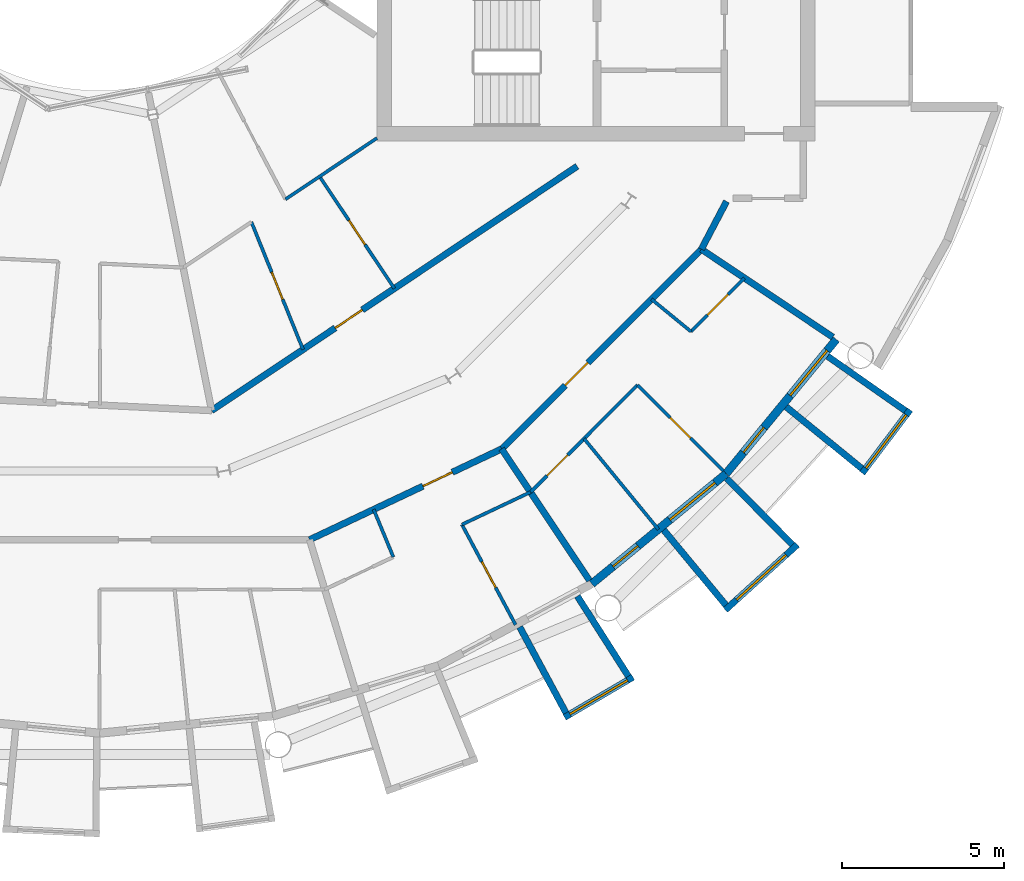
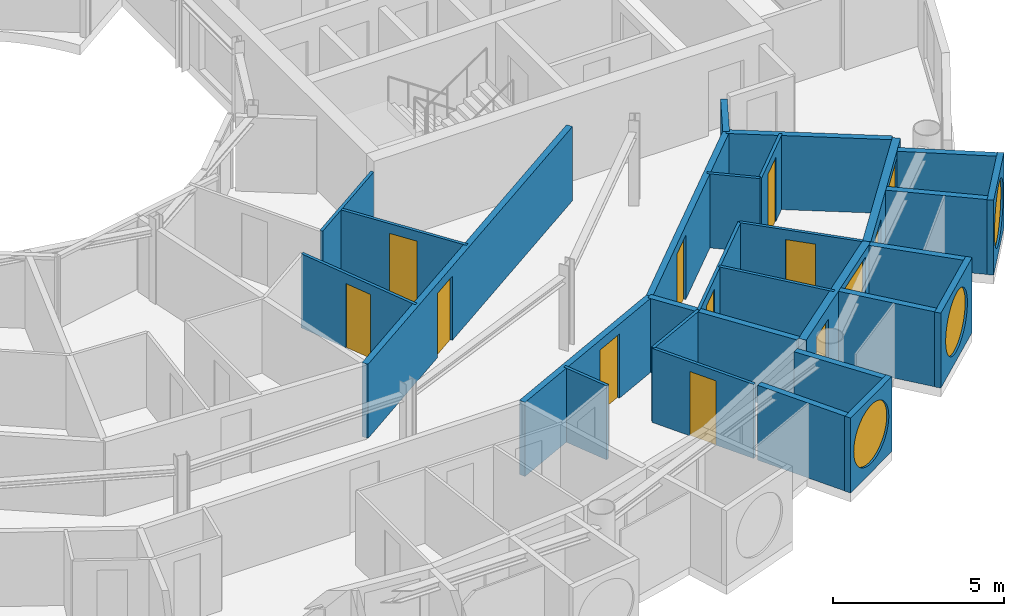
# One storey, part 18 of 28: 28 walls, 11 doors, 5 windows, 16 openings.
"""IFC4 building model written with IfcOpenShell, lengths in metres."""

from ifc_helpers import new_model, si_unit, direction, frame, frame_2d, origin, place, context, subcontext, project, spatial, rectangle, circle, extrude, material, layer, layer_set, type_object, element, fill, save


model = new_model("IFC4")

# Units and contexts
model_context = context("Model", 3, precision=1e-05, world=origin(), true_north=direction((0.0, 1.0)))
body_context = subcontext(model_context, "Body", "Model", "MODEL_VIEW")
ifc_project = project(units=[si_unit("LENGTHUNIT", "METRE"), si_unit("AREAUNIT", "SQUARE_METRE"), si_unit("VOLUMEUNIT", "CUBIC_METRE"), si_unit("PLANEANGLEUNIT", "RADIAN"), si_unit("MASSUNIT", "GRAM", prefix="KILO")], contexts=[model_context])

# Site, building, storey
site_placement = place(None, origin())
site = spatial("IfcSite", under=ifc_project, at=site_placement, CompositionType="ELEMENT")
building_placement = place(site_placement, origin())
building = spatial("IfcBuilding", under=site, at=building_placement, Name="Maasbend Ring Residences", CompositionType="ELEMENT")
storey_placement = place(building_placement, frame((0.0, 0.0, 218.800048828125)))
storey = spatial("IfcBuildingStorey", under=building, at=storey_placement, Name="L63", CompositionType="ELEMENT", Elevation=218.800048828125)

# Wall
ifc_material_1 = material(Name="Concrete C30/37", Category="concrete")
ifc_layer_1 = layer(ifc_material_1, 0.199951171875)
ifc_layer_set_1 = layer_set([ifc_layer_1], Name="Concrete C30/37")
wall_type_1 = type_object("IfcWallType", Name="CORRIDOR WALL 200 CONCRETE", PredefinedType="PARTITIONING", material=ifc_layer_set_1)
wall_1_placement = place(storey_placement, frame((18.5419921875, -12.388916015625, 0.0), z_axis=(0.0, 0.0, 1.0), x_axis=(0.465359652486, 0.885121683068, 0.0)))
element("IfcWall", 1, at=wall_1_placement, inside=storey, type_object=wall_type_1, Name="U-L63-w012", PredefinedType="PARTITIONING", context=body_context, shape_type="SweptSolid", body=[
    extrude(rectangle(XDim=1.665283203125, YDim=0.199951171875, at=frame_2d((0.83251953125, 0.0))), origin(), (0.0, 0.0, 1.0), 2.64990234375),
])

# Wall, opening, door
wall_2_placement = place(storey_placement, frame((6.468994140625, -21.342041015625, 0.0), z_axis=(0.0, 0.0, 1.0), x_axis=(0.90398136628, 0.427571852931, 0.0)))
wall_2 = element("IfcWall", 2, at=wall_2_placement, inside=storey, type_object=wall_type_1, Name="U-L63-w014", PredefinedType="PARTITIONING", context=body_context, shape_type="SweptSolid", body=[
    extrude(rectangle(XDim=6.548828125, YDim=0.199951171875, at=frame_2d((3.2744140625, 0.0))), origin(), (0.0, 0.0, 1.0), 2.64990234375),
])
opening_1_placement = place(wall_2_placement, frame((3.866943359375, 0.0, 0.0)))
opening_1 = element("IfcOpeningElement", 3, at=opening_1_placement, cuts=wall_2, Name="Opening D-6340", PredefinedType="OPENING", context=body_context, shape_type="SweptSolid", body=[
    extrude(rectangle(XDim=1.0, YDim=2.300048828125, at=frame_2d((0.5, 1.14990234375))), frame((0.0, 0.10986328125, 0.0), z_axis=(0.0, -1.0, 0.0), x_axis=(1.0, 0.0, 0.0)), (0.0, 0.0, 1.0), 0.219970703125),
])
ifc_material_2 = material(Name="Timber, fire-rated, painted", Category="wood")
door_type_1 = type_object("IfcDoorType", Name="FLAT ENTRANCE DOOR 1000 X 2300 FIRE-RATED", OperationType="NOTDEFINED", PredefinedType="DOOR", material=ifc_material_2)
door_1_placement = place(opening_1_placement, origin())
door_1 = element("IfcDoor", 4, at=door_1_placement, inside=storey, type_object=door_type_1, Name="D-6340", OperationType="SINGLE_SWING_RIGHT", OverallHeight=2.300048828125, OverallWidth=1.0, PredefinedType="DOOR", context=body_context, shape_type="SweptSolid", body=[
    extrude(rectangle(XDim=1.0, YDim=2.300048828125, at=frame_2d((0.5, 1.14990234375))), frame((0.0, 0.02490234375, 0.0), z_axis=(0.0, -1.0, 0.0), x_axis=(1.0, 0.0, 0.0)), (0.0, 0.0, 1.0), 0.050048828125),
])
fill(opening_1, door_1)

wall_3_placement = place(storey_placement, frame((12.388916015625, -18.5419921875, 0.0), z_axis=(0.0, 0.0, 1.0), x_axis=(0.707106781187, 0.707106781187, 0.0)))
wall_3 = element("IfcWall", 5, at=wall_3_placement, inside=storey, type_object=wall_type_1, Name="U-L63-w016", PredefinedType="PARTITIONING", context=body_context, shape_type="SweptSolid", body=[
    extrude(rectangle(XDim=8.70166015625, YDim=0.199951171875, at=frame_2d((4.350830078125, 0.0))), origin(), (0.0, 0.0, 1.0), 2.64990234375),
])
opening_2_placement = place(wall_3_placement, frame((2.762939453125, 0.0, 0.0)))
opening_2 = element("IfcOpeningElement", 6, at=opening_2_placement, cuts=wall_3, Name="Opening D-6343", PredefinedType="OPENING", context=body_context, shape_type="SweptSolid", body=[
    extrude(rectangle(XDim=1.0, YDim=2.300048828125, at=frame_2d((0.5, 1.14990234375))), frame((0.0, 0.10986328125, 0.0), z_axis=(0.0, -1.0, 0.0), x_axis=(1.0, 0.0, 0.0)), (0.0, 0.0, 1.0), 0.219970703125),
])
door_2_placement = place(opening_2_placement, origin())
door_2 = element("IfcDoor", 7, at=door_2_placement, inside=storey, type_object=door_type_1, Name="D-6343", OperationType="SINGLE_SWING_LEFT", OverallHeight=2.300048828125, OverallWidth=1.0, PredefinedType="DOOR", context=body_context, shape_type="SweptSolid", body=[
    extrude(rectangle(XDim=1.0, YDim=2.300048828125, at=frame_2d((0.5, 1.14990234375))), frame((0.0, 0.02490234375, 0.0), z_axis=(0.0, -1.0, 0.0), x_axis=(1.0, 0.0, 0.0)), (0.0, 0.0, 1.0), 0.050048828125),
])
fill(opening_2, door_2)

wall_4_placement = place(storey_placement, frame((3.450927734375, -17.361083984375, 0.0), z_axis=(0.0, 0.0, 1.0), x_axis=(0.831492679744, 0.555535708603, 0.0)))
wall_4 = element("IfcWall", 8, at=wall_4_placement, inside=storey, type_object=wall_type_1, Name="U-L63-w022", PredefinedType="PARTITIONING", context=body_context, shape_type="SweptSolid", body=[
    extrude(rectangle(XDim=13.54931640625, YDim=0.199951171875, at=frame_2d((6.774658203125, 0.0))), origin(), (0.0, 0.0, 1.0), 2.64990234375),
])
opening_3_placement = place(wall_4_placement, frame((4.5830078125, 0.0, 0.0)))
opening_3 = element("IfcOpeningElement", 9, at=opening_3_placement, cuts=wall_4, Name="Opening D-6354", PredefinedType="OPENING", context=body_context, shape_type="SweptSolid", body=[
    extrude(rectangle(XDim=1.0, YDim=2.300048828125, at=frame_2d((0.5, 1.14990234375))), frame((0.0, 0.10986328125, 0.0), z_axis=(0.0, -1.0, 0.0), x_axis=(1.0, 0.0, 0.0)), (0.0, 0.0, 1.0), 0.219970703125),
])
door_3_placement = place(opening_3_placement, origin())
door_3 = element("IfcDoor", 10, at=door_3_placement, inside=storey, type_object=door_type_1, Name="D-6354", OperationType="SINGLE_SWING_LEFT", OverallHeight=2.300048828125, OverallWidth=1.0, PredefinedType="DOOR", context=body_context, shape_type="SweptSolid", body=[
    extrude(rectangle(XDim=1.0, YDim=2.300048828125, at=frame_2d((0.5, 1.14990234375))), frame((0.0, 0.02490234375, 0.0), z_axis=(0.0, -1.0, 0.0), x_axis=(1.0, 0.0, 0.0)), (0.0, 0.0, 1.0), 0.050048828125),
])
fill(opening_3, door_3)

# Wall, opening, window
ifc_material_3 = material(Name="Pale anodised aluminium panel", Category="aluminium")
ifc_layer_2 = layer(ifc_material_3, 0.199951171875)
ifc_layer_set_2 = layer_set([ifc_layer_2], Name="EW-BOX")
wall_type_2 = type_object("IfcWallType", Name="EW-BOX", PredefinedType="SOLIDWALL", material=ifc_layer_set_2)
wall_5_placement = place(storey_placement, frame((14.326904296875, -26.81201171875, -0.030029296875), z_axis=(0.0, 0.0, 1.0), x_axis=(0.862403467503, 0.506221551535, 0.0)))
wall_5 = element("IfcWall", 11, at=wall_5_placement, inside=storey, type_object=wall_type_2, Name="Box front S16", PredefinedType="SOLIDWALL", context=body_context, shape_type="SweptSolid", body=[
    extrude(rectangle(XDim=2.445556640625, YDim=0.199951171875, at=frame_2d((1.22265625, 0.0))), origin(), (0.0, 0.0, 1.0), 2.679931640625),
])
opening_4_placement = place(wall_5_placement, frame((0.182861328125, 0.0, 0.330078125)))
opening_4 = element("IfcOpeningElement", 12, at=opening_4_placement, cuts=wall_5, Name="Opening W-RD", PredefinedType="OPENING", context=body_context, shape_type="SweptSolid", body=[
    extrude(circle(Radius=1.0400390625, at=frame_2d((1.0400390625, 1.0400390625))), frame((0.0, 0.10986328125, 0.0), z_axis=(0.0, -1.0, 0.0), x_axis=(1.0, 0.0, 0.0)), (0.0, 0.0, 1.0), 0.219970703125),
])
ifc_material_4 = material(Name="Aluminium and clear glass", Category="aluminium")
window_type_1 = type_object("IfcWindowType", Name="W-RD", PartitioningType="SINGLE_PANEL", PredefinedType="WINDOW", material=ifc_material_4)
window_1_placement = place(opening_4_placement, origin())
window_1 = element("IfcWindow", 13, at=window_1_placement, inside=storey, type_object=window_type_1, Name="Round window S16", OverallHeight=2.080078125, OverallWidth=2.080078125, PartitioningType="SINGLE_PANEL", PredefinedType="WINDOW", context=body_context, shape_type="SweptSolid", body=[
    extrude(circle(Radius=1.0400390625, at=frame_2d((1.0400390625, 1.0400390625))), frame((0.0, 0.030029296875, 0.0), z_axis=(0.0, -1.0, 0.0), x_axis=(1.0, 0.0, 0.0)), (0.0, 0.0, 1.0), 0.06005859375),
])
fill(opening_4, window_1)

# Walls
wall_6_placement = place(storey_placement, frame((12.945068359375, -24.029052734375, -0.030029296875), z_axis=(0.0, 0.0, 1.0), x_axis=(0.474424310775, -0.88029629861, 0.0)))
element("IfcWall", 14, at=wall_6_placement, inside=storey, type_object=wall_type_2, Name="Box side wall S16 left", PredefinedType="SOLIDWALL", context=body_context, shape_type="SweptSolid", body=[
    extrude(rectangle(XDim=3.005859375, YDim=0.199951171875, at=frame_2d((1.5029296875, 0.0))), origin(), (0.0, 0.0, 1.0), 2.679931640625),
])
wall_7_placement = place(storey_placement, frame((14.721923828125, -23.0791015625, -0.030029296875), z_axis=(0.0, 0.0, 1.0), x_axis=(0.537572179146, -0.843217737129, 0.0)))
element("IfcWall", 15, at=wall_7_placement, inside=storey, type_object=wall_type_2, Name="Box side wall S16 right", PredefinedType="SOLIDWALL", context=body_context, shape_type="SweptSolid", body=[
    extrude(rectangle(XDim=2.92431640625, YDim=0.199951171875, at=frame_2d((1.462158203125, 0.0))), origin(), (0.0, 0.0, 1.0), 2.679931640625),
])

# Wall, opening, window
wall_8_placement = place(storey_placement, frame((19.281982421875, -23.5029296875, -0.030029296875), z_axis=(0.0, 0.0, 1.0), x_axis=(0.740998365753, 0.671506829416, 0.0)))
wall_8 = element("IfcWall", 16, at=wall_8_placement, inside=storey, type_object=wall_type_2, Name="Box front S18", PredefinedType="SOLIDWALL", context=body_context, shape_type="SweptSolid", body=[
    extrude(rectangle(XDim=2.9931640625, YDim=0.199951171875, at=frame_2d((1.49658203125, 0.0))), origin(), (0.0, 0.0, 1.0), 2.679931640625),
])
opening_5_placement = place(wall_8_placement, frame((0.45654296875, 0.0, 0.330078125)))
opening_5 = element("IfcOpeningElement", 17, at=opening_5_placement, cuts=wall_8, Name="Opening W-RD", PredefinedType="OPENING", context=body_context, shape_type="SweptSolid", body=[
    extrude(circle(Radius=1.0400390625, at=frame_2d((1.0400390625, 1.0400390625))), frame((0.0, 0.10986328125, 0.0), z_axis=(0.0, -1.0, 0.0), x_axis=(1.0, 0.0, 0.0)), (0.0, 0.0, 1.0), 0.219970703125),
])
window_2_placement = place(opening_5_placement, origin())
window_2 = element("IfcWindow", 18, at=window_2_placement, inside=storey, type_object=window_type_1, Name="Round window S18", OverallHeight=2.080078125, OverallWidth=2.080078125, PartitioningType="SINGLE_PANEL", PredefinedType="WINDOW", context=body_context, shape_type="SweptSolid", body=[
    extrude(circle(Radius=1.0400390625, at=frame_2d((1.0400390625, 1.0400390625))), frame((0.0, 0.030029296875, 0.0), z_axis=(0.0, -1.0, 0.0), x_axis=(1.0, 0.0, 0.0)), (0.0, 0.0, 1.0), 0.06005859375),
])
fill(opening_5, window_2)

# Walls
wall_9_placement = place(storey_placement, frame((17.384033203125, -21.041015625, -0.030029296875), z_axis=(0.0, 0.0, 1.0), x_axis=(0.63709551667, -0.770784861449, 0.0)))
element("IfcWall", 19, at=wall_9_placement, inside=storey, type_object=wall_type_2, Name="Box side wall S18 left", PredefinedType="SOLIDWALL", context=body_context, shape_type="SweptSolid", body=[
    extrude(rectangle(XDim=3.005859375, YDim=0.199951171875, at=frame_2d((1.5029296875, 0.0))), origin(), (0.0, 0.0, 1.0), 2.679931640625),
])
wall_10_placement = place(storey_placement, frame((19.322998046875, -19.449951171875, -0.030029296875), z_axis=(0.0, 0.0, 1.0), x_axis=(0.704476739375, -0.709727076896, 0.0)))
element("IfcWall", 20, at=wall_10_placement, inside=storey, type_object=wall_type_2, Name="Box side wall S18 right", PredefinedType="SOLIDWALL", context=body_context, shape_type="SweptSolid", body=[
    extrude(rectangle(XDim=2.883056640625, YDim=0.199951171875, at=frame_2d((1.44140625, 0.0))), origin(), (0.0, 0.0, 1.0), 2.679931640625),
])

# Wall, opening, window
wall_11_placement = place(storey_placement, frame((23.4970703125, -19.2890625, -0.030029296875), z_axis=(0.0, 0.0, 1.0), x_axis=(0.602806268067, 0.797887588059, 0.0)))
wall_11 = element("IfcWall", 21, at=wall_11_placement, inside=storey, type_object=wall_type_2, Name="Box front S20", PredefinedType="SOLIDWALL", context=body_context, shape_type="SweptSolid", body=[
    extrude(rectangle(XDim=2.446533203125, YDim=0.199951171875, at=frame_2d((1.22314453125, 0.0))), origin(), (0.0, 0.0, 1.0), 2.679931640625),
])
opening_6_placement = place(wall_11_placement, frame((0.182861328125, 0.0, 0.330078125)))
opening_6 = element("IfcOpeningElement", 22, at=opening_6_placement, cuts=wall_11, Name="Opening W-RD", PredefinedType="OPENING", context=body_context, shape_type="SweptSolid", body=[
    extrude(circle(Radius=1.0400390625, at=frame_2d((1.0400390625, 1.0400390625))), frame((0.0, 0.10986328125, 0.0), z_axis=(0.0, -1.0, 0.0), x_axis=(1.0, 0.0, 0.0)), (0.0, 0.0, 1.0), 0.219970703125),
])
window_3_placement = place(opening_6_placement, origin())
window_3 = element("IfcWindow", 23, at=window_3_placement, inside=storey, type_object=window_type_1, Name="Round window S20", OverallHeight=2.080078125, OverallWidth=2.080078125, PartitioningType="SINGLE_PANEL", PredefinedType="WINDOW", context=body_context, shape_type="SweptSolid", body=[
    extrude(circle(Radius=1.0400390625, at=frame_2d((1.0400390625, 1.0400390625))), frame((0.0, 0.030029296875, 0.0), z_axis=(0.0, -1.0, 0.0), x_axis=(1.0, 0.0, 0.0)), (0.0, 0.0, 1.0), 0.06005859375),
])
fill(opening_6, window_3)

# Walls
wall_12_placement = place(storey_placement, frame((21.155029296875, -17.24609375, -0.030029296875), z_axis=(0.0, 0.0, 1.0), x_axis=(0.775179004516, -0.631741648902, 0.0)))
element("IfcWall", 24, at=wall_12_placement, inside=storey, type_object=wall_type_2, Name="Box side wall S20 left", PredefinedType="SOLIDWALL", context=body_context, shape_type="SweptSolid", body=[
    extrude(rectangle(XDim=3.005859375, YDim=0.199951171875, at=frame_2d((1.5029296875, 0.0))), origin(), (0.0, 0.0, 1.0), 2.679931640625),
])
wall_13_placement = place(storey_placement, frame((22.43310546875, -15.68798828125, -0.030029296875), z_axis=(0.0, 0.0, 1.0), x_axis=(0.819373043115, -0.573260687834, 0.0)))
element("IfcWall", 25, at=wall_13_placement, inside=storey, type_object=wall_type_2, Name="Box side wall S20 right", PredefinedType="SOLIDWALL", context=body_context, shape_type="SweptSolid", body=[
    extrude(rectangle(XDim=2.92529296875, YDim=0.199951171875, at=frame_2d((1.462646484375, 0.0))), origin(), (0.0, 0.0, 1.0), 2.679931640625),
])

# Wall, openings, door, window
ifc_material_5 = material(Name="Aluminium clad insulated panel", Category="aluminium")
ifc_layer_3 = layer(ifc_material_5, 0.25)
ifc_layer_set_3 = layer_set([ifc_layer_3], Name="EW-GL")
wall_type_3 = type_object("IfcWallType", Name="EW-GL", PredefinedType="SOLIDWALL", material=ifc_layer_set_3)
wall_14_placement = place(storey_placement, frame((15.1669921875, -22.698974609375, 0.0), z_axis=(0.0, 0.0, 1.0), x_axis=(0.773019449054, 0.634382322723, 0.0)))
wall_14 = element("IfcWall", 26, at=wall_14_placement, inside=storey, type_object=wall_type_3, Name="External wall S09", PredefinedType="SOLIDWALL", context=body_context, shape_type="SweptSolid", body=[
    extrude(rectangle(XDim=5.351806640625, YDim=0.25, at=frame_2d((2.67578125, 0.0))), origin(), (0.0, 0.0, 1.0), 2.64990234375),
])
opening_7_placement = place(wall_14_placement, frame((0.841064453125, 0.0, 0.0)))
opening_7 = element("IfcOpeningElement", 27, at=opening_7_placement, cuts=wall_14, Name="Opening D-LG", PredefinedType="OPENING", context=body_context, shape_type="SweptSolid", body=[
    extrude(rectangle(XDim=1.0, YDim=2.199951171875, at=frame_2d((0.5, 1.10009765625))), frame((0.0, 0.135009765625, 0.0), z_axis=(0.0, -1.0, 0.0), x_axis=(1.0, 0.0, 0.0)), (0.0, 0.0, 1.0), 0.27001953125),
])
opening_8_placement = place(wall_14_placement, frame((3.110595703125, 0.0, 0.300048828125)))
opening_8 = element("IfcOpeningElement", 28, at=opening_8_placement, cuts=wall_14, Name="Opening W-BX", PredefinedType="OPENING", context=body_context, shape_type="SweptSolid", body=[
    extrude(rectangle(XDim=1.800048828125, YDim=2.10009765625, at=frame_2d((0.89990234375, 1.050048828125))), frame((0.0, 0.135009765625, 0.0), z_axis=(0.0, -1.0, 0.0), x_axis=(1.0, 0.0, 0.0)), (0.0, 0.0, 1.0), 0.27001953125),
])
ifc_material_6 = material(Name="Aluminium and clear glass", Category="aluminium")
door_type_2 = type_object("IfcDoorType", Name="D-LG", OperationType="SINGLE_SWING_LEFT", PredefinedType="DOOR", material=ifc_material_6)
door_4_placement = place(opening_7_placement, origin())
door_4 = element("IfcDoor", 29, at=door_4_placement, inside=storey, type_object=door_type_2, Name="Loggia door S17", OperationType="SINGLE_SWING_LEFT", OverallHeight=2.199951171875, OverallWidth=1.0, PredefinedType="DOOR", context=body_context, shape_type="SweptSolid", body=[
    extrude(rectangle(XDim=1.0, YDim=2.199951171875, at=frame_2d((0.5, 1.10009765625))), frame((0.0, 0.02490234375, 0.0), z_axis=(0.0, -1.0, 0.0), x_axis=(1.0, 0.0, 0.0)), (0.0, 0.0, 1.0), 0.050048828125),
])
fill(opening_7, door_4)
ifc_material_7 = material(Name="Aluminium and clear glass", Category="aluminium")
window_type_2 = type_object("IfcWindowType", Name="W-BX", PartitioningType="DOUBLE_PANEL_VERTICAL", PredefinedType="WINDOW", material=ifc_material_7)
window_4_placement = place(opening_8_placement, origin())
window_4 = element("IfcWindow", 30, at=window_4_placement, inside=storey, type_object=window_type_2, Name="Window S18 room to box", OverallHeight=2.10009765625, OverallWidth=1.800048828125, PartitioningType="SINGLE_PANEL", PredefinedType="WINDOW", context=body_context, shape_type="SweptSolid", body=[
    extrude(rectangle(XDim=1.800048828125, YDim=2.10009765625, at=frame_2d((0.89990234375, 1.050048828125))), frame((0.0, 0.030029296875, 0.0), z_axis=(0.0, -1.0, 0.0), x_axis=(1.0, 0.0, 0.0)), (0.0, 0.0, 1.0), 0.06005859375),
])
fill(opening_8, window_4)

wall_15_placement = place(storey_placement, frame((19.303955078125, -19.303955078125, 0.0), z_axis=(0.0, 0.0, 1.0), x_axis=(0.634382322723, 0.773019449054, 0.0)))
wall_15 = element("IfcWall", 31, at=wall_15_placement, inside=storey, type_object=wall_type_3, Name="External wall S10", PredefinedType="SOLIDWALL", context=body_context, shape_type="SweptSolid", body=[
    extrude(rectangle(XDim=5.351806640625, YDim=0.25, at=frame_2d((2.67578125, 0.0))), origin(), (0.0, 0.0, 1.0), 2.64990234375),
])
opening_9_placement = place(wall_15_placement, frame((0.841064453125, 0.0, 0.0)))
opening_9 = element("IfcOpeningElement", 32, at=opening_9_placement, cuts=wall_15, Name="Opening D-LG", PredefinedType="OPENING", context=body_context, shape_type="SweptSolid", body=[
    extrude(rectangle(XDim=1.0, YDim=2.199951171875, at=frame_2d((0.5, 1.10009765625))), frame((0.0, 0.135009765625, 0.0), z_axis=(0.0, -1.0, 0.0), x_axis=(1.0, 0.0, 0.0)), (0.0, 0.0, 1.0), 0.27001953125),
])
opening_10_placement = place(wall_15_placement, frame((3.110595703125, 0.0, 0.300048828125)))
opening_10 = element("IfcOpeningElement", 33, at=opening_10_placement, cuts=wall_15, Name="Opening W-BX", PredefinedType="OPENING", context=body_context, shape_type="SweptSolid", body=[
    extrude(rectangle(XDim=1.800048828125, YDim=2.10009765625, at=frame_2d((0.89990234375, 1.050048828125))), frame((0.0, 0.135009765625, 0.0), z_axis=(0.0, -1.0, 0.0), x_axis=(1.0, 0.0, 0.0)), (0.0, 0.0, 1.0), 0.27001953125),
])
door_5_placement = place(opening_9_placement, origin())
door_5 = element("IfcDoor", 34, at=door_5_placement, inside=storey, type_object=door_type_2, Name="Loggia door S19", OperationType="SINGLE_SWING_LEFT", OverallHeight=2.199951171875, OverallWidth=1.0, PredefinedType="DOOR", context=body_context, shape_type="SweptSolid", body=[
    extrude(rectangle(XDim=1.0, YDim=2.199951171875, at=frame_2d((0.5, 1.10009765625))), frame((0.0, 0.02490234375, 0.0), z_axis=(0.0, -1.0, 0.0), x_axis=(1.0, 0.0, 0.0)), (0.0, 0.0, 1.0), 0.050048828125),
])
fill(opening_9, door_5)
window_5_placement = place(opening_10_placement, origin())
window_5 = element("IfcWindow", 35, at=window_5_placement, inside=storey, type_object=window_type_2, Name="Window S20 room to box", OverallHeight=2.10009765625, OverallWidth=1.800048828125, PartitioningType="SINGLE_PANEL", PredefinedType="WINDOW", context=body_context, shape_type="SweptSolid", body=[
    extrude(rectangle(XDim=1.800048828125, YDim=2.10009765625, at=frame_2d((0.89990234375, 1.050048828125))), frame((0.0, 0.030029296875, 0.0), z_axis=(0.0, -1.0, 0.0), x_axis=(1.0, 0.0, 0.0)), (0.0, 0.0, 1.0), 0.06005859375),
])
fill(opening_10, window_5)

# Wall
ifc_material_8 = material(Name="Gypsum board on steel studs", Category="steel")
ifc_layer_4 = layer(ifc_material_8, 0.10009765625)
ifc_layer_set_4 = layer_set([ifc_layer_4], Name="PARTITION 100 GYPSUM")
wall_type_4 = type_object("IfcWallType", Name="PARTITION 100 GYPSUM", PredefinedType="PARTITIONING", material=ifc_layer_set_4)
wall_16_placement = place(storey_placement, frame((11.1650390625, -20.8720703125, 0.0), z_axis=(0.0, 0.0, 1.0), x_axis=(0.903888765148, 0.427767577359, 0.0)))
element("IfcWall", 36, at=wall_16_placement, inside=storey, type_object=wall_type_4, Name="U-L63-w004", PredefinedType="PARTITIONING", context=body_context, shape_type="SweptSolid", body=[
    extrude(rectangle(XDim=2.337646484375, YDim=0.10009765625, at=frame_2d((1.1689453125, 0.0))), origin(), (0.0, 0.0, 1.0), 2.64990234375),
])

# Wall, opening, door
wall_17_placement = place(storey_placement, frame((13.284912109375, -19.868896484375, 0.0), z_axis=(0.0, 0.0, 1.0), x_axis=(0.706923494552, 0.707290020325, 0.0)))
wall_17 = element("IfcWall", 37, at=wall_17_placement, inside=storey, type_object=wall_type_4, Name="U-L63-w007", PredefinedType="PARTITIONING", context=body_context, shape_type="SweptSolid", body=[
    extrude(rectangle(XDim=4.66259765625, YDim=0.10009765625, at=frame_2d((2.331298828125, 0.0))), origin(), (0.0, 0.0, 1.0), 2.64990234375),
])
opening_11_placement = place(wall_17_placement, frame((0.7119140625, 0.0, 0.0)))
opening_11 = element("IfcOpeningElement", 38, at=opening_11_placement, cuts=wall_17, Name="Opening D-6346", PredefinedType="OPENING", context=body_context, shape_type="SweptSolid", body=[
    extrude(rectangle(XDim=0.89990234375, YDim=2.300048828125, at=frame_2d((0.449951171875, 1.14990234375))), frame((0.0, 0.06005859375, 0.0), z_axis=(0.0, -1.0, 0.0), x_axis=(1.0, 0.0, 0.0)), (0.0, 0.0, 1.0), 0.1201171875),
])
ifc_material_9 = material(Name="Timber, painted", Category="wood")
door_type_3 = type_object("IfcDoorType", Name="INTERNAL DOOR 900 X 2300", OperationType="NOTDEFINED", PredefinedType="DOOR", material=ifc_material_9)
door_6_placement = place(opening_11_placement, origin())
door_6 = element("IfcDoor", 39, at=door_6_placement, inside=storey, type_object=door_type_3, Name="D-6346", OperationType="SINGLE_SWING_LEFT", OverallHeight=2.300048828125, OverallWidth=0.89990234375, PredefinedType="DOOR", context=body_context, shape_type="SweptSolid", body=[
    extrude(rectangle(XDim=0.89990234375, YDim=2.300048828125, at=frame_2d((0.449951171875, 1.14990234375))), frame((0.0, 0.02490234375, 0.0), z_axis=(0.0, -1.0, 0.0), x_axis=(1.0, 0.0, 0.0)), (0.0, 0.0, 1.0), 0.050048828125),
])
fill(opening_11, door_6)

wall_18_placement = place(storey_placement, frame((18.22412109375, -14.927001953125, 0.0), z_axis=(0.0, 0.0, 1.0), x_axis=(0.706897299114, 0.707316201218, 0.0)))
wall_18 = element("IfcWall", 40, at=wall_18_placement, inside=storey, type_object=wall_type_4, Name="U-L63-w008", PredefinedType="PARTITIONING", context=body_context, shape_type="SweptSolid", body=[
    extrude(rectangle(XDim=2.331298828125, YDim=0.10009765625, at=frame_2d((1.16552734375, 0.0))), origin(), (0.0, 0.0, 1.0), 2.64990234375),
])
opening_12_placement = place(wall_18_placement, frame((0.716064453125, 0.0, 0.0)))
opening_12 = element("IfcOpeningElement", 41, at=opening_12_placement, cuts=wall_18, Name="Opening D-6344", PredefinedType="OPENING", context=body_context, shape_type="SweptSolid", body=[
    extrude(rectangle(XDim=0.89990234375, YDim=2.300048828125, at=frame_2d((0.449951171875, 1.14990234375))), frame((0.0, 0.06005859375, 0.0), z_axis=(0.0, -1.0, 0.0), x_axis=(1.0, 0.0, 0.0)), (0.0, 0.0, 1.0), 0.1201171875),
])
door_7_placement = place(opening_12_placement, origin())
door_7 = element("IfcDoor", 42, at=door_7_placement, inside=storey, type_object=door_type_3, Name="D-6344", OperationType="SINGLE_SWING_RIGHT", OverallHeight=2.300048828125, OverallWidth=0.89990234375, PredefinedType="DOOR", context=body_context, shape_type="SweptSolid", body=[
    extrude(rectangle(XDim=0.89990234375, YDim=2.300048828125, at=frame_2d((0.449951171875, 1.14990234375))), frame((0.0, 0.02490234375, 0.0), z_axis=(0.0, -1.0, 0.0), x_axis=(1.0, 0.0, 0.0)), (0.0, 0.0, 1.0), 0.050048828125),
])
fill(opening_12, door_7)

# Wall
wall_19_placement = place(storey_placement, frame((5.72998046875, -10.84912109375, 0.0), z_axis=(0.0, 0.0, 1.0), x_axis=(0.83129689803, 0.555828631257, 0.0)))
element("IfcWall", 43, at=wall_19_placement, inside=storey, type_object=wall_type_4, Name="U-L63-w028", PredefinedType="PARTITIONING", context=body_context, shape_type="SweptSolid", body=[
    extrude(rectangle(XDim=3.3935546875, YDim=0.10009765625, at=frame_2d((1.69677734375, 0.0))), origin(), (0.0, 0.0, 1.0), 2.64990234375),
])

# Wall, opening, door
wall_20_placement = place(storey_placement, frame((4.677978515625, -11.551025390625, 0.0), z_axis=(0.0, 0.0, 1.0), x_axis=(0.375509828455, -0.926818411952, 0.0)))
wall_20 = element("IfcWall", 44, at=wall_20_placement, inside=storey, type_object=wall_type_4, Name="U-L63-w068", PredefinedType="PARTITIONING", context=body_context, shape_type="SweptSolid", body=[
    extrude(rectangle(XDim=4.237060546875, YDim=0.10009765625, at=frame_2d((2.11865234375, 0.0))), origin(), (0.0, 0.0, 1.0), 2.64990234375),
])
opening_13_placement = place(wall_20_placement, frame((1.6689453125, 0.0, 0.0)))
opening_13 = element("IfcOpeningElement", 45, at=opening_13_placement, cuts=wall_20, Name="Opening D-6355", PredefinedType="OPENING", context=body_context, shape_type="SweptSolid", body=[
    extrude(rectangle(XDim=0.89990234375, YDim=2.300048828125, at=frame_2d((0.449951171875, 1.14990234375))), frame((0.0, 0.06005859375, 0.0), z_axis=(0.0, -1.0, 0.0), x_axis=(1.0, 0.0, 0.0)), (0.0, 0.0, 1.0), 0.1201171875),
])
door_8_placement = place(opening_13_placement, origin())
door_8 = element("IfcDoor", 46, at=door_8_placement, inside=storey, type_object=door_type_3, Name="D-6355", OperationType="SINGLE_SWING_RIGHT", OverallHeight=2.300048828125, OverallWidth=0.89990234375, PredefinedType="DOOR", context=body_context, shape_type="SweptSolid", body=[
    extrude(rectangle(XDim=0.89990234375, YDim=2.300048828125, at=frame_2d((0.449951171875, 1.14990234375))), frame((0.0, 0.02490234375, 0.0), z_axis=(0.0, -1.0, 0.0), x_axis=(1.0, 0.0, 0.0)), (0.0, 0.0, 1.0), 0.050048828125),
])
fill(opening_13, door_8)

wall_21_placement = place(storey_placement, frame((6.779052734375, -10.14794921875, 0.0), z_axis=(0.0, 0.0, 1.0), x_axis=(0.555528237031, -0.831497671591, 0.0)))
wall_21 = element("IfcWall", 47, at=wall_21_placement, inside=storey, type_object=wall_type_4, Name="U-L63-w071", PredefinedType="PARTITIONING", context=body_context, shape_type="SweptSolid", body=[
    extrude(rectangle(XDim=4.149169921875, YDim=0.10009765625, at=frame_2d((2.07470703125, 0.0))), origin(), (0.0, 0.0, 1.0), 2.64990234375),
])
opening_14_placement = place(wall_21_placement, frame((1.6240234375, 0.0, 0.0)))
opening_14 = element("IfcOpeningElement", 48, at=opening_14_placement, cuts=wall_21, Name="Opening D-6356", PredefinedType="OPENING", context=body_context, shape_type="SweptSolid", body=[
    extrude(rectangle(XDim=0.89990234375, YDim=2.300048828125, at=frame_2d((0.449951171875, 1.14990234375))), frame((0.0, 0.06005859375, 0.0), z_axis=(0.0, -1.0, 0.0), x_axis=(1.0, 0.0, 0.0)), (0.0, 0.0, 1.0), 0.1201171875),
])
door_9_placement = place(opening_14_placement, origin())
door_9 = element("IfcDoor", 49, at=door_9_placement, inside=storey, type_object=door_type_3, Name="D-6356", OperationType="SINGLE_SWING_LEFT", OverallHeight=2.300048828125, OverallWidth=0.89990234375, PredefinedType="DOOR", context=body_context, shape_type="SweptSolid", body=[
    extrude(rectangle(XDim=0.89990234375, YDim=2.300048828125, at=frame_2d((0.449951171875, 1.14990234375))), frame((0.0, 0.02490234375, 0.0), z_axis=(0.0, -1.0, 0.0), x_axis=(1.0, 0.0, 0.0)), (0.0, 0.0, 1.0), 0.050048828125),
])
fill(opening_14, door_9)

# Wall
wall_22_placement = place(storey_placement, frame((8.445068359375, -20.406982421875, 0.0), z_axis=(0.0, 0.0, 1.0), x_axis=(0.38241529907, -0.923990551379, 0.0)))
element("IfcWall", 50, at=wall_22_placement, inside=storey, type_object=wall_type_4, Name="U-L63-w073", PredefinedType="PARTITIONING", context=body_context, shape_type="SweptSolid", body=[
    extrude(rectangle(XDim=1.58447265625, YDim=0.10009765625, at=frame_2d((0.792236328125, 0.0))), origin(), (0.0, 0.0, 1.0), 2.64990234375),
])

# Wall, opening, door
wall_23_placement = place(storey_placement, frame((11.1650390625, -20.8720703125, 0.0), z_axis=(0.0, 0.0, 1.0), x_axis=(0.471734135207, -0.881740838161, 0.0)))
wall_23 = element("IfcWall", 51, at=wall_23_placement, inside=storey, type_object=wall_type_4, Name="U-L63-w076", PredefinedType="PARTITIONING", context=body_context, shape_type="SweptSolid", body=[
    extrude(rectangle(XDim=3.504150390625, YDim=0.10009765625, at=frame_2d((1.751953125, 0.0))), origin(), (0.0, 0.0, 1.0), 2.64990234375),
])
opening_15_placement = place(wall_23_placement, frame((1.302001953125, 0.0, 0.0)))
opening_15 = element("IfcOpeningElement", 52, at=opening_15_placement, cuts=wall_23, Name="Opening D-6342", PredefinedType="OPENING", context=body_context, shape_type="SweptSolid", body=[
    extrude(rectangle(XDim=0.89990234375, YDim=2.300048828125, at=frame_2d((0.449951171875, 1.14990234375))), frame((0.0, 0.06005859375, 0.0), z_axis=(0.0, -1.0, 0.0), x_axis=(1.0, 0.0, 0.0)), (0.0, 0.0, 1.0), 0.1201171875),
])
door_10_placement = place(opening_15_placement, origin())
door_10 = element("IfcDoor", 53, at=door_10_placement, inside=storey, type_object=door_type_3, Name="D-6342", OperationType="SINGLE_SWING_RIGHT", OverallHeight=2.300048828125, OverallWidth=0.89990234375, PredefinedType="DOOR", context=body_context, shape_type="SweptSolid", body=[
    extrude(rectangle(XDim=0.89990234375, YDim=2.300048828125, at=frame_2d((0.449951171875, 1.14990234375))), frame((0.0, 0.02490234375, 0.0), z_axis=(0.0, -1.0, 0.0), x_axis=(1.0, 0.0, 0.0)), (0.0, 0.0, 1.0), 0.050048828125),
])
fill(opening_15, door_10)

# Wall
wall_24_placement = place(storey_placement, frame((14.927001953125, -18.22412109375, 0.0), z_axis=(0.0, 0.0, 1.0), x_axis=(0.633737383709, -0.773548271597, 0.0)))
element("IfcWall", 54, at=wall_24_placement, inside=storey, type_object=wall_type_4, Name="U-L63-w079", PredefinedType="PARTITIONING", context=body_context, shape_type="SweptSolid", body=[
    extrude(rectangle(XDim=3.6181640625, YDim=0.10009765625, at=frame_2d((1.80908203125, 0.0))), origin(), (0.0, 0.0, 1.0), 2.64990234375),
])

# Wall, opening, door
wall_25_placement = place(storey_placement, frame((16.574951171875, -16.574951171875, 0.0), z_axis=(0.0, 0.0, 1.0), x_axis=(0.707106781187, -0.707106781187, 0.0)))
wall_25 = element("IfcWall", 55, at=wall_25_placement, inside=storey, type_object=wall_type_4, Name="U-L63-w080", PredefinedType="PARTITIONING", context=body_context, shape_type="SweptSolid", body=[
    extrude(rectangle(XDim=3.735107421875, YDim=0.10009765625, at=frame_2d((1.86767578125, 0.0))), origin(), (0.0, 0.0, 1.0), 2.64990234375),
])
opening_16_placement = place(wall_25_placement, frame((1.4169921875, 0.0, 0.0)))
opening_16 = element("IfcOpeningElement", 56, at=opening_16_placement, cuts=wall_25, Name="Opening D-6345", PredefinedType="OPENING", context=body_context, shape_type="SweptSolid", body=[
    extrude(rectangle(XDim=0.89990234375, YDim=2.300048828125, at=frame_2d((0.449951171875, 1.14990234375))), frame((0.0, 0.06005859375, 0.0), z_axis=(0.0, -1.0, 0.0), x_axis=(1.0, 0.0, 0.0)), (0.0, 0.0, 1.0), 0.1201171875),
])
door_11_placement = place(opening_16_placement, origin())
door_11 = element("IfcDoor", 57, at=door_11_placement, inside=storey, type_object=door_type_3, Name="D-6345", OperationType="SINGLE_SWING_RIGHT", OverallHeight=2.300048828125, OverallWidth=0.89990234375, PredefinedType="DOOR", context=body_context, shape_type="SweptSolid", body=[
    extrude(rectangle(XDim=0.89990234375, YDim=2.300048828125, at=frame_2d((0.449951171875, 1.14990234375))), frame((0.0, 0.02490234375, 0.0), z_axis=(0.0, -1.0, 0.0), x_axis=(1.0, 0.0, 0.0)), (0.0, 0.0, 1.0), 0.050048828125),
])
fill(opening_16, door_11)

# Walls
wall_26_placement = place(storey_placement, frame((17.00390625, -13.927001953125, 0.0), z_axis=(0.0, 0.0, 1.0), x_axis=(0.773446828454, -0.633861186344, 0.0)))
element("IfcWall", 58, at=wall_26_placement, inside=storey, type_object=wall_type_4, Name="U-L63-w088", PredefinedType="PARTITIONING", context=body_context, shape_type="SweptSolid", body=[
    extrude(rectangle(XDim=1.57763671875, YDim=0.10009765625, at=frame_2d((0.788818359375, 0.0))), origin(), (0.0, 0.0, 1.0), 2.64990234375),
])
ifc_material_10 = material(Name="Concrete C30/37", Category="concrete")
ifc_layer_5 = layer(ifc_material_10, 0.199951171875)
ifc_layer_set_5 = layer_set([ifc_layer_5], Name="Concrete C30/37")
wall_type_5 = type_object("IfcWallType", Name="PARTY WALL 200 CONCRETE", PredefinedType="PARTITIONING", material=ifc_layer_set_5)
wall_27_placement = place(storey_placement, frame((12.387939453125, -18.54296875, 0.0), z_axis=(0.0, 0.0, 1.0), x_axis=(0.55555521993, -0.831479643532, 0.0)))
element("IfcWall", 59, at=wall_27_placement, inside=storey, type_object=wall_type_5, Name="U-L63-w077", PredefinedType="PARTITIONING", context=body_context, shape_type="SweptSolid", body=[
    extrude(rectangle(XDim=4.87451171875, YDim=0.199951171875, at=frame_2d((2.437255859375, 0.0))), origin(), (0.0, 0.0, 1.0), 2.64990234375),
])
wall_28_placement = place(storey_placement, frame((18.5419921875, -12.388916015625, 0.0), z_axis=(0.0, 0.0, 1.0), x_axis=(0.831387096605, -0.55569370664, 0.0)))
element("IfcWall", 60, at=wall_28_placement, inside=storey, type_object=wall_type_5, Name="U-L63-w083", PredefinedType="PARTITIONING", context=body_context, shape_type="SweptSolid", body=[
    extrude(rectangle(XDim=4.875, YDim=0.199951171875, at=frame_2d((2.4375, 0.0))), origin(), (0.0, 0.0, 1.0), 2.64990234375),
])

save(model, "model.ifc")
